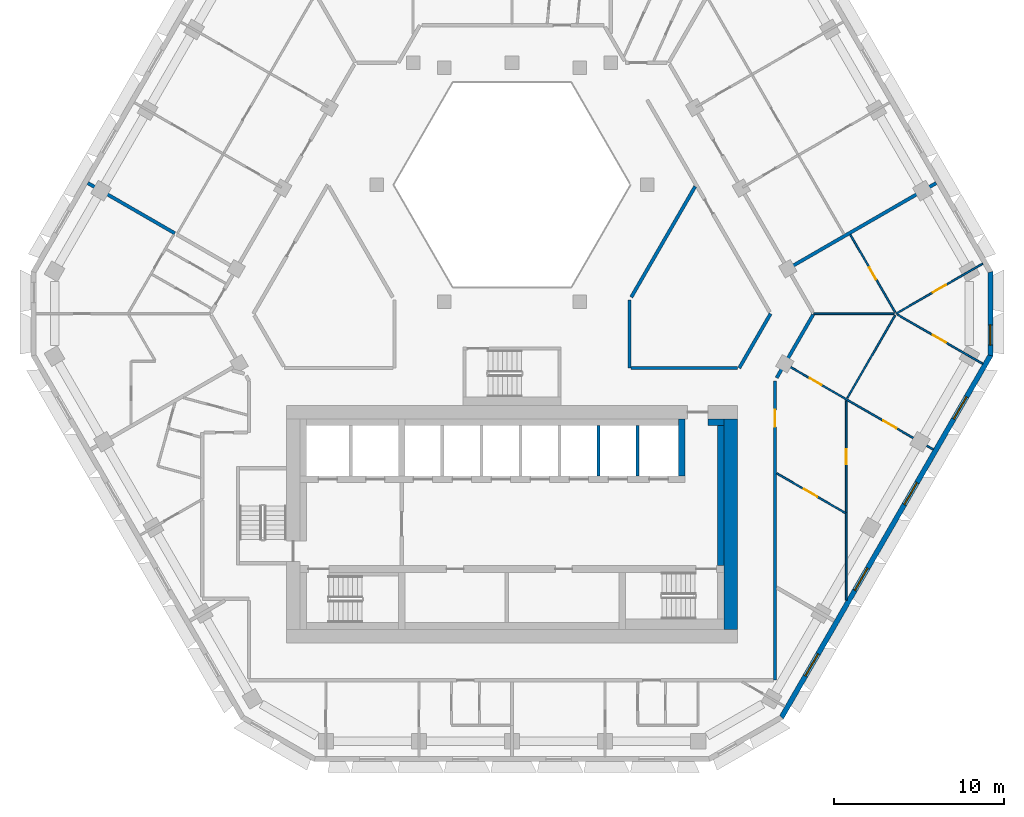
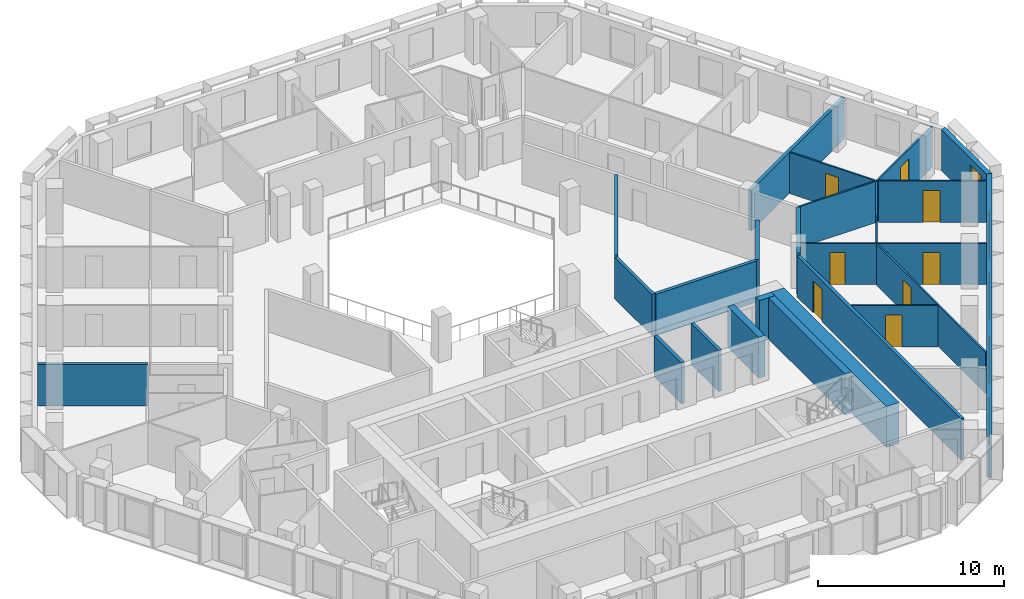
# One storey, part 6 of 15: 24 walls, 8 doors, 5 windows, 13 openings.
"""IFC4 building model written with IfcOpenShell, lengths in metres."""

from ifc_helpers import new_model, si_unit, direction, frame, frame_2d, origin, place, context, subcontext, project, spatial, polyline, rectangle, outline, extrude, material, layer, layer_set, type_object, element, fill, save


model = new_model("IFC4")

# Units and contexts
model_context = context("Model", 3, precision=1e-05, world=origin(), true_north=direction((0.0, 1.0)))
body_context = subcontext(model_context, "Body", "Model", "MODEL_VIEW")
ifc_project = project(units=[si_unit("LENGTHUNIT", "METRE"), si_unit("AREAUNIT", "SQUARE_METRE"), si_unit("VOLUMEUNIT", "CUBIC_METRE"), si_unit("PLANEANGLEUNIT", "RADIAN"), si_unit("MASSUNIT", "GRAM", prefix="KILO")], contexts=[model_context])

# Site, building, storey
site_placement = place(None, origin())
site = spatial("IfcSite", under=ifc_project, at=site_placement, CompositionType="ELEMENT")
building_placement = place(site_placement, origin())
building = spatial("IfcBuilding", under=site, at=building_placement, Name="Beryl Residences", CompositionType="ELEMENT")
storey_placement = place(building_placement, frame((0.0, 0.0, 123.60009765625)))
storey = spatial("IfcBuildingStorey", under=building, at=storey_placement, Name="L37", CompositionType="ELEMENT", Elevation=123.60009765625)

# Wall, openings, windows
ifc_material_1 = material(Name="Composite metal panel with mineral wool insulation")
ifc_layer_1 = layer(ifc_material_1, 0.300048828125)
ifc_layer_set_1 = layer_set([ifc_layer_1], Name="ES1 pale metal composite panel wall 300 mm")
wall_type_1 = type_object("IfcWallType", Name="ES1 pale metal composite panel wall 300 mm", PredefinedType="SOLIDWALL", material=ifc_layer_set_1)
wall_1_placement = place(storey_placement, frame((15.862060546875, -23.425048828125, 0.0), z_axis=(0.0, 0.0, 1.0), x_axis=(0.500017503135, 0.866015298109, 0.0)))
wall_1 = element("IfcWall", 1, at=wall_1_placement, inside=storey, type_object=wall_type_1, Name="ES1 external wall L37 SE", PredefinedType="SOLIDWALL", context=body_context, shape_type="SweptSolid", body=[
    extrude(outline(polyline([(0.0, -0.14990234375), (24.7109375, -0.14990234375), (24.630615234375, 0.14990234375), (0.080322265625, 0.14990234375), (0.0, -0.14990234375)])), origin(), (0.0, 0.0, 1.0), 2.699951171875),
])
opening_1_placement = place(wall_1_placement, frame((2.85693359375, 0.0, 0.14990234375)))
opening_1 = element("IfcOpeningElement", 2, at=opening_1_placement, cuts=wall_1, Name="Opening W1", PredefinedType="OPENING", context=body_context, shape_type="SweptSolid", body=[
    extrude(rectangle(XDim=1.5, YDim=2.10009765625, at=frame_2d((0.75, 1.050048828125))), frame((0.0, 0.159912109375, 0.0), z_axis=(0.0, -1.0, 0.0), x_axis=(1.0, 0.0, 0.0)), (0.0, 0.0, 1.0), 0.320068359375),
])
opening_2_placement = place(wall_1_placement, frame((8.68896484375, 0.0, 0.14990234375)))
opening_2 = element("IfcOpeningElement", 3, at=opening_2_placement, cuts=wall_1, Name="Opening W1", PredefinedType="OPENING", context=body_context, shape_type="SweptSolid", body=[
    extrude(rectangle(XDim=1.5, YDim=2.10009765625, at=frame_2d((0.75, 1.050048828125))), frame((0.0, 0.159912109375, 0.0), z_axis=(0.0, -1.0, 0.0), x_axis=(1.0, 0.0, 0.0)), (0.0, 0.0, 1.0), 0.320068359375),
])
opening_3_placement = place(wall_1_placement, frame((14.52001953125, 0.0, 0.14990234375)))
opening_3 = element("IfcOpeningElement", 4, at=opening_3_placement, cuts=wall_1, Name="Opening W1", PredefinedType="OPENING", context=body_context, shape_type="SweptSolid", body=[
    extrude(rectangle(XDim=1.5, YDim=2.10009765625, at=frame_2d((0.75, 1.050048828125))), frame((0.0, 0.159912109375, 0.0), z_axis=(0.0, -1.0, 0.0), x_axis=(1.0, 0.0, 0.0)), (0.0, 0.0, 1.0), 0.320068359375),
])
opening_4_placement = place(wall_1_placement, frame((20.35107421875, 0.0, 0.14990234375)))
opening_4 = element("IfcOpeningElement", 5, at=opening_4_placement, cuts=wall_1, Name="Opening W1", PredefinedType="OPENING", context=body_context, shape_type="SweptSolid", body=[
    extrude(rectangle(XDim=1.5, YDim=2.10009765625, at=frame_2d((0.75, 1.050048828125))), frame((0.0, 0.159912109375, 0.0), z_axis=(0.0, -1.0, 0.0), x_axis=(1.0, 0.0, 0.0)), (0.0, 0.0, 1.0), 0.320068359375),
])
ifc_material_2 = material(Name="Aluminium and clear glass", Category="aluminium")
window_type_1 = type_object("IfcWindowType", Name="W1 cell window 1500 x 2100 mm", PartitioningType="SINGLE_PANEL", PredefinedType="WINDOW", material=ifc_material_2)
window_1_placement = place(opening_1_placement, origin())
window_1 = element("IfcWindow", 6, at=window_1_placement, inside=storey, type_object=window_type_1, Name="W1 window L37 SE 2", OverallHeight=2.10009765625, OverallWidth=1.5, PartitioningType="SINGLE_PANEL", PredefinedType="WINDOW", context=body_context, shape_type="SweptSolid", body=[
    extrude(rectangle(XDim=1.5, YDim=2.10009765625, at=frame_2d((0.75, 1.050048828125))), frame((0.0, 0.030029296875, 0.0), z_axis=(0.0, -1.0, 0.0), x_axis=(1.0, 0.0, 0.0)), (0.0, 0.0, 1.0), 0.06005859375),
])
fill(opening_1, window_1)
window_2_placement = place(opening_2_placement, origin())
window_2 = element("IfcWindow", 7, at=window_2_placement, inside=storey, type_object=window_type_1, Name="W1 window L37 SE 4", OverallHeight=2.10009765625, OverallWidth=1.5, PartitioningType="SINGLE_PANEL", PredefinedType="WINDOW", context=body_context, shape_type="SweptSolid", body=[
    extrude(rectangle(XDim=1.5, YDim=2.10009765625, at=frame_2d((0.75, 1.050048828125))), frame((0.0, 0.030029296875, 0.0), z_axis=(0.0, -1.0, 0.0), x_axis=(1.0, 0.0, 0.0)), (0.0, 0.0, 1.0), 0.06005859375),
])
fill(opening_2, window_2)
window_3_placement = place(opening_3_placement, origin())
window_3 = element("IfcWindow", 8, at=window_3_placement, inside=storey, type_object=window_type_1, Name="W1 window L37 SE 6", OverallHeight=2.10009765625, OverallWidth=1.5, PartitioningType="SINGLE_PANEL", PredefinedType="WINDOW", context=body_context, shape_type="SweptSolid", body=[
    extrude(rectangle(XDim=1.5, YDim=2.10009765625, at=frame_2d((0.75, 1.050048828125))), frame((0.0, 0.030029296875, 0.0), z_axis=(0.0, -1.0, 0.0), x_axis=(1.0, 0.0, 0.0)), (0.0, 0.0, 1.0), 0.06005859375),
])
fill(opening_3, window_3)
window_4_placement = place(opening_4_placement, origin())
window_4 = element("IfcWindow", 9, at=window_4_placement, inside=storey, type_object=window_type_1, Name="W1 window L37 SE 8", OverallHeight=2.10009765625, OverallWidth=1.5, PartitioningType="SINGLE_PANEL", PredefinedType="WINDOW", context=body_context, shape_type="SweptSolid", body=[
    extrude(rectangle(XDim=1.5, YDim=2.10009765625, at=frame_2d((0.75, 1.050048828125))), frame((0.0, 0.030029296875, 0.0), z_axis=(0.0, -1.0, 0.0), x_axis=(1.0, 0.0, 0.0)), (0.0, 0.0, 1.0), 0.06005859375),
])
fill(opening_4, window_4)

# Wall, opening, window
wall_2_placement = place(storey_placement, frame((28.197998046875, -2.10009765625, 0.0), z_axis=(0.0, 0.0, 1.0), x_axis=(0.0, 1.0, 0.0)))
wall_2 = element("IfcWall", 10, at=wall_2_placement, inside=storey, type_object=wall_type_1, Name="ES1 external wall L37 SE-NE", PredefinedType="SOLIDWALL", context=body_context, shape_type="SweptSolid", body=[
    extrude(outline(polyline([(0.0, -0.14990234375), (5.0, -0.14990234375), (4.919677734375, 0.14990234375), (0.080322265625, 0.14990234375), (0.0, -0.14990234375)])), origin(), (0.0, 0.0, 1.0), 2.699951171875),
])
opening_5_placement = place(wall_2_placement, frame((0.64990234375, 0.0, 0.14990234375)))
opening_5 = element("IfcOpeningElement", 11, at=opening_5_placement, cuts=wall_2, Name="Opening W2", PredefinedType="OPENING", context=body_context, shape_type="SweptSolid", body=[
    extrude(rectangle(XDim=1.199951171875, YDim=2.10009765625, at=frame_2d((0.60009765625, 1.050048828125))), frame((0.0, 0.159912109375, 0.0), z_axis=(0.0, -1.0, 0.0), x_axis=(1.0, 0.0, 0.0)), (0.0, 0.0, 1.0), 0.320068359375),
])
ifc_material_3 = material(Name="Aluminium and clear glass", Category="aluminium")
window_type_2 = type_object("IfcWindowType", Name="W2 chamfer window 1200 x 2100 mm", PartitioningType="SINGLE_PANEL", PredefinedType="WINDOW", material=ifc_material_3)
window_5_placement = place(opening_5_placement, origin())
window_5 = element("IfcWindow", 12, at=window_5_placement, inside=storey, type_object=window_type_2, Name="W2 window L37 SE-NE 1", OverallHeight=2.10009765625, OverallWidth=1.199951171875, PartitioningType="SINGLE_PANEL", PredefinedType="WINDOW", context=body_context, shape_type="SweptSolid", body=[
    extrude(rectangle(XDim=1.199951171875, YDim=2.10009765625, at=frame_2d((0.60009765625, 1.050048828125))), frame((0.0, 0.030029296875, 0.0), z_axis=(0.0, -1.0, 0.0), x_axis=(1.0, 0.0, 0.0)), (0.0, 0.0, 1.0), 0.06005859375),
])
fill(opening_5, window_5)

# Wall, opening, door
ifc_material_4 = material(Name="Gypsum board partition on steel studs", Category="steel")
ifc_layer_2 = layer(ifc_material_4, 0.10009765625)
ifc_layer_set_2 = layer_set([ifc_layer_2], Name="PT1 partition 100 mm gypsum board on steel studs")
wall_type_2 = type_object("IfcWallType", Name="PT1 partition 100 mm gypsum board on steel studs", PredefinedType="PARTITIONING", material=ifc_layer_set_2)
wall_3_placement = place(storey_placement, frame((19.93994140625, 5.06298828125, 0.0), z_axis=(0.0, 0.0, 1.0), x_axis=(0.500025085526, -0.866010920165, 0.0)))
wall_3 = element("IfcWall", 13, at=wall_3_placement, inside=storey, type_object=wall_type_2, Name="Wall PT1 L37 004", PredefinedType="PARTITIONING", context=body_context, shape_type="SweptSolid", body=[
    extrude(rectangle(XDim=5.283935546875, YDim=0.10009765625, at=frame_2d((2.64208984375, 0.0))), origin(), (0.0, 0.0, 1.0), 2.699951171875),
])
opening_6_placement = place(wall_3_placement, frame((2.241943359375, 0.0, 0.0)))
opening_6 = element("IfcOpeningElement", 14, at=opening_6_placement, cuts=wall_3, Name="Opening D1218", PredefinedType="OPENING", context=body_context, shape_type="SweptSolid", body=[
    extrude(rectangle(XDim=0.800048828125, YDim=2.10009765625, at=frame_2d((0.39990234375, 1.050048828125))), frame((0.0, 0.06005859375, 0.0), z_axis=(0.0, -1.0, 0.0), x_axis=(1.0, 0.0, 0.0)), (0.0, 0.0, 1.0), 0.1201171875),
])
ifc_material_5 = material(Name="Timber door leaf", Category="wood")
door_type_1 = type_object("IfcDoorType", Name="D3 bathroom door 800 x 2100 mm", OperationType="SINGLE_SWING_LEFT", PredefinedType="DOOR", material=ifc_material_5)
door_1_placement = place(opening_6_placement, origin())
door_1 = element("IfcDoor", 15, at=door_1_placement, inside=storey, type_object=door_type_1, Name="Door D1218 L37 001", OperationType="SINGLE_SWING_RIGHT", OverallHeight=2.10009765625, OverallWidth=0.800048828125, PredefinedType="DOOR", context=body_context, shape_type="SweptSolid", body=[
    extrude(rectangle(XDim=0.800048828125, YDim=2.10009765625, at=frame_2d((0.39990234375, 1.050048828125))), frame((0.0, 0.02490234375, 0.0), z_axis=(0.0, -1.0, 0.0), x_axis=(1.0, 0.0, 0.0)), (0.0, 0.0, 1.0), 0.050048828125),
])
fill(opening_6, door_1)

wall_4_placement = place(storey_placement, frame((15.60009765625, -9.008056640625, 0.0), z_axis=(0.0, 0.0, 1.0), x_axis=(0.866049960314, -0.49995746443, 0.0)))
wall_4 = element("IfcWall", 16, at=wall_4_placement, inside=storey, type_object=wall_type_2, Name="Wall PT1 L37 016", PredefinedType="PARTITIONING", context=body_context, shape_type="SweptSolid", body=[
    extrude(rectangle(XDim=4.67626953125, YDim=0.10009765625, at=frame_2d((2.338134765625, 0.0))), origin(), (0.0, 0.0, 1.0), 2.699951171875),
])
opening_7_placement = place(wall_4_placement, frame((1.85888671875, 0.0, 0.0)))
opening_7 = element("IfcOpeningElement", 17, at=opening_7_placement, cuts=wall_4, Name="Opening D1213", PredefinedType="OPENING", context=body_context, shape_type="SweptSolid", body=[
    extrude(rectangle(XDim=0.89990234375, YDim=2.10009765625, at=frame_2d((0.449951171875, 1.050048828125))), frame((0.0, 0.06005859375, 0.0), z_axis=(0.0, -1.0, 0.0), x_axis=(1.0, 0.0, 0.0)), (0.0, 0.0, 1.0), 0.1201171875),
])
ifc_material_6 = material(Name="Timber door leaf", Category="wood")
door_type_2 = type_object("IfcDoorType", Name="D2 room door 900 x 2100 mm", OperationType="SINGLE_SWING_LEFT", PredefinedType="DOOR", material=ifc_material_6)
door_2_placement = place(opening_7_placement, origin())
door_2 = element("IfcDoor", 18, at=door_2_placement, inside=storey, type_object=door_type_2, Name="Door D1213 L37 001", OperationType="SINGLE_SWING_LEFT", OverallHeight=2.10009765625, OverallWidth=0.89990234375, PredefinedType="DOOR", context=body_context, shape_type="SweptSolid", body=[
    extrude(rectangle(XDim=0.89990234375, YDim=2.10009765625, at=frame_2d((0.449951171875, 1.050048828125))), frame((0.0, 0.02490234375, 0.0), z_axis=(0.0, -1.0, 0.0), x_axis=(1.0, 0.0, 0.0)), (0.0, 0.0, 1.0), 0.050048828125),
])
fill(opening_7, door_2)

# Wall, openings, doors
wall_5_placement = place(storey_placement, frame((16.1650390625, -2.60107421875, 0.0), z_axis=(0.0, 0.0, 1.0), x_axis=(0.866016855193, -0.500014806302, 0.0)))
wall_5 = element("IfcWall", 19, at=wall_5_placement, inside=storey, type_object=wall_type_2, Name="Wall PT1 L37 018", PredefinedType="PARTITIONING", context=body_context, shape_type="SweptSolid", body=[
    extrude(rectangle(XDim=9.999755859375, YDim=0.10009765625, at=frame_2d((5.0, 0.0))), origin(), (0.0, 0.0, 1.0), 2.699951171875),
])
opening_8_placement = place(wall_5_placement, frame((1.60009765625, 0.0, 0.0)))
opening_8 = element("IfcOpeningElement", 20, at=opening_8_placement, cuts=wall_5, Name="Opening D1214", PredefinedType="OPENING", context=body_context, shape_type="SweptSolid", body=[
    extrude(rectangle(XDim=0.800048828125, YDim=2.10009765625, at=frame_2d((0.39990234375, 1.050048828125))), frame((0.0, 0.06005859375, 0.0), z_axis=(0.0, -1.0, 0.0), x_axis=(1.0, 0.0, 0.0)), (0.0, 0.0, 1.0), 0.1201171875),
])
opening_9_placement = place(wall_5_placement, frame((6.60009765625, 0.0, 0.0)))
opening_9 = element("IfcOpeningElement", 21, at=opening_9_placement, cuts=wall_5, Name="Opening D1215", PredefinedType="OPENING", context=body_context, shape_type="SweptSolid", body=[
    extrude(rectangle(XDim=0.89990234375, YDim=2.10009765625, at=frame_2d((0.449951171875, 1.050048828125))), frame((0.0, 0.06005859375, 0.0), z_axis=(0.0, -1.0, 0.0), x_axis=(1.0, 0.0, 0.0)), (0.0, 0.0, 1.0), 0.1201171875),
])
door_3_placement = place(opening_9_placement, origin())
door_3 = element("IfcDoor", 22, at=door_3_placement, inside=storey, type_object=door_type_2, Name="Door D1215 L37 001", OperationType="SINGLE_SWING_LEFT", OverallHeight=2.10009765625, OverallWidth=0.89990234375, PredefinedType="DOOR", context=body_context, shape_type="SweptSolid", body=[
    extrude(rectangle(XDim=0.89990234375, YDim=2.10009765625, at=frame_2d((0.449951171875, 1.050048828125))), frame((0.0, 0.02490234375, 0.0), z_axis=(0.0, -1.0, 0.0), x_axis=(1.0, 0.0, 0.0)), (0.0, 0.0, 1.0), 0.050048828125),
])
fill(opening_9, door_3)
door_4_placement = place(opening_8_placement, origin())
door_4 = element("IfcDoor", 23, at=door_4_placement, inside=storey, type_object=door_type_1, Name="Door D1214 L37 001", OperationType="SINGLE_SWING_RIGHT", OverallHeight=2.10009765625, OverallWidth=0.800048828125, PredefinedType="DOOR", context=body_context, shape_type="SweptSolid", body=[
    extrude(rectangle(XDim=0.800048828125, YDim=2.10009765625, at=frame_2d((0.39990234375, 1.050048828125))), frame((0.0, 0.02490234375, 0.0), z_axis=(0.0, -1.0, 0.0), x_axis=(1.0, 0.0, 0.0)), (0.0, 0.0, 1.0), 0.050048828125),
])
fill(opening_8, door_4)

# Wall, opening, door
wall_6_placement = place(storey_placement, frame((22.718017578125, 0.34912109375, 0.0), z_axis=(0.0, 0.0, 1.0), x_axis=(0.86601454848, -0.500018801468, 0.0)))
wall_6 = element("IfcWall", 24, at=wall_6_placement, inside=storey, type_object=wall_type_2, Name="Wall PT1 L37 019", PredefinedType="PARTITIONING", context=body_context, shape_type="SweptSolid", body=[
    extrude(rectangle(XDim=5.800048828125, YDim=0.10009765625, at=frame_2d((2.89990234375, 0.0))), origin(), (0.0, 0.0, 1.0), 2.699951171875),
])
opening_10_placement = place(wall_6_placement, frame((2.39990234375, 0.0, 0.0)))
opening_10 = element("IfcOpeningElement", 25, at=opening_10_placement, cuts=wall_6, Name="Opening D1216", PredefinedType="OPENING", context=body_context, shape_type="SweptSolid", body=[
    extrude(rectangle(XDim=0.89990234375, YDim=2.10009765625, at=frame_2d((0.449951171875, 1.050048828125))), frame((0.0, 0.06005859375, 0.0), z_axis=(0.0, -1.0, 0.0), x_axis=(1.0, 0.0, 0.0)), (0.0, 0.0, 1.0), 0.1201171875),
])
door_5_placement = place(opening_10_placement, origin())
door_5 = element("IfcDoor", 26, at=door_5_placement, inside=storey, type_object=door_type_2, Name="Door D1216 L37 001", OperationType="SINGLE_SWING_RIGHT", OverallHeight=2.10009765625, OverallWidth=0.89990234375, PredefinedType="DOOR", context=body_context, shape_type="SweptSolid", body=[
    extrude(rectangle(XDim=0.89990234375, YDim=2.10009765625, at=frame_2d((0.449951171875, 1.050048828125))), frame((0.0, 0.02490234375, 0.0), z_axis=(0.0, -1.0, 0.0), x_axis=(1.0, 0.0, 0.0)), (0.0, 0.0, 1.0), 0.050048828125),
])
fill(opening_10, door_5)

# Walls
wall_7_placement = place(storey_placement, frame((17.781982421875, 0.40087890625, 0.0), z_axis=(0.0, 0.0, 1.0), x_axis=(1.0, 0.0, 0.0)))
element("IfcWall", 27, at=wall_7_placement, inside=storey, type_object=wall_type_2, Name="Wall PT1 L37 024", PredefinedType="PARTITIONING", context=body_context, shape_type="SweptSolid", body=[
    extrude(rectangle(XDim=4.7470703125, YDim=0.10009765625, at=frame_2d((2.37353515625, 0.0))), origin(), (0.0, 0.0, 1.0), 2.699951171875),
])
wall_8_placement = place(storey_placement, frame((19.764892578125, -4.56396484375, 0.0), z_axis=(0.0, 0.0, 1.0), x_axis=(0.500060182325, 0.865990654714, 0.0)))
element("IfcWall", 28, at=wall_8_placement, inside=storey, type_object=wall_type_2, Name="Wall PT1 L37 029", PredefinedType="PARTITIONING", context=body_context, shape_type="SweptSolid", body=[
    extrude(rectangle(XDim=5.631591796875, YDim=0.10009765625, at=frame_2d((2.81591796875, 0.0))), origin(), (0.0, 0.0, 1.0), 2.699951171875),
])

# Wall, opening, door
wall_9_placement = place(storey_placement, frame((19.699951171875, -16.47705078125, 0.0), z_axis=(0.0, 0.0, 1.0), x_axis=(0.0, 1.0, 0.0)))
wall_9 = element("IfcWall", 29, at=wall_9_placement, inside=storey, type_object=wall_type_2, Name="Wall PT1 L37 042", PredefinedType="PARTITIONING", context=body_context, shape_type="SweptSolid", body=[
    extrude(rectangle(XDim=11.741943359375, YDim=0.10009765625, at=frame_2d((5.87109375, 0.0))), origin(), (0.0, 0.0, 1.0), 2.699951171875),
])
opening_11_placement = place(wall_9_placement, frame((7.990966796875, 0.0, 0.0)))
opening_11 = element("IfcOpeningElement", 30, at=opening_11_placement, cuts=wall_9, Name="Opening D1212", PredefinedType="OPENING", context=body_context, shape_type="SweptSolid", body=[
    extrude(rectangle(XDim=0.89990234375, YDim=2.10009765625, at=frame_2d((0.449951171875, 1.050048828125))), frame((0.0, 0.06005859375, 0.0), z_axis=(0.0, -1.0, 0.0), x_axis=(1.0, 0.0, 0.0)), (0.0, 0.0, 1.0), 0.1201171875),
])
door_6_placement = place(opening_11_placement, origin())
door_6 = element("IfcDoor", 31, at=door_6_placement, inside=storey, type_object=door_type_2, Name="Door D1212 L37 001", OperationType="SINGLE_SWING_RIGHT", OverallHeight=2.10009765625, OverallWidth=0.89990234375, PredefinedType="DOOR", context=body_context, shape_type="SweptSolid", body=[
    extrude(rectangle(XDim=0.89990234375, YDim=2.10009765625, at=frame_2d((0.449951171875, 1.050048828125))), frame((0.0, 0.02490234375, 0.0), z_axis=(0.0, -1.0, 0.0), x_axis=(1.0, 0.0, 0.0)), (0.0, 0.0, 1.0), 0.050048828125),
])
fill(opening_11, door_6)

wall_10_placement = place(storey_placement, frame((22.634033203125, 0.40087890625, 0.0), z_axis=(0.0, 0.0, 1.0), x_axis=(0.86601325737, 0.500021037617, 0.0)))
wall_10 = element("IfcWall", 32, at=wall_10_placement, inside=storey, type_object=wall_type_2, Name="Wall PT1 L37 049", PredefinedType="PARTITIONING", context=body_context, shape_type="SweptSolid", body=[
    extrude(rectangle(XDim=5.898193359375, YDim=0.10009765625, at=frame_2d((2.94921875, 0.0))), origin(), (0.0, 0.0, 1.0), 2.699951171875),
])
opening_12_placement = place(wall_10_placement, frame((2.4990234375, 0.0, 0.0)))
opening_12 = element("IfcOpeningElement", 33, at=opening_12_placement, cuts=wall_10, Name="Opening D1217", PredefinedType="OPENING", context=body_context, shape_type="SweptSolid", body=[
    extrude(rectangle(XDim=0.89990234375, YDim=2.10009765625, at=frame_2d((0.449951171875, 1.050048828125))), frame((0.0, 0.06005859375, 0.0), z_axis=(0.0, -1.0, 0.0), x_axis=(1.0, 0.0, 0.0)), (0.0, 0.0, 1.0), 0.1201171875),
])
door_7_placement = place(opening_12_placement, origin())
door_7 = element("IfcDoor", 34, at=door_7_placement, inside=storey, type_object=door_type_2, Name="Door D1217 L37 001", OperationType="SINGLE_SWING_LEFT", OverallHeight=2.10009765625, OverallWidth=0.89990234375, PredefinedType="DOOR", context=body_context, shape_type="SweptSolid", body=[
    extrude(rectangle(XDim=0.89990234375, YDim=2.10009765625, at=frame_2d((0.449951171875, 1.050048828125))), frame((0.0, 0.02490234375, 0.0), z_axis=(0.0, -1.0, 0.0), x_axis=(1.0, 0.0, 0.0)), (0.0, 0.0, 1.0), 0.050048828125),
])
fill(opening_12, door_7)

# Walls
ifc_material_7 = material(Name="Concrete masonry", Category="masonry")
ifc_layer_3 = layer(ifc_material_7, 0.39990234375)
ifc_layer_set_3 = layer_set([ifc_layer_3], Name="PT13-400 lobby wall 400 mm")
wall_type_3 = type_object("IfcWallType", Name="PT13-400 lobby wall 400 mm", PredefinedType="PARTITIONING", material=ifc_layer_set_3)
wall_11_placement = place(storey_placement, frame((11.550048828125, -6.0, 0.0), z_axis=(0.0, 0.0, 1.0), x_axis=(1.0, 0.0, 0.0)))
element("IfcWall", 35, at=wall_11_placement, inside=storey, type_object=wall_type_3, Name="Lobby wall 22", PredefinedType="PARTITIONING", context=body_context, shape_type="SweptSolid", body=[
    extrude(rectangle(XDim=0.949951171875, YDim=0.39990234375, at=frame_2d((0.47509765625, 0.0))), origin(), (0.0, 0.0, 1.0), 2.699951171875),
])
wall_12_placement = place(storey_placement, frame((12.300048828125, -14.449951171875, 0.0), z_axis=(0.0, 0.0, 1.0), x_axis=(0.0, 1.0, 0.0)))
element("IfcWall", 36, at=wall_12_placement, inside=storey, type_object=wall_type_3, Name="Lobby wall 24", PredefinedType="PARTITIONING", context=body_context, shape_type="SweptSolid", body=[
    extrude(rectangle(XDim=8.25, YDim=0.39990234375, at=frame_2d((4.125, 0.0))), origin(), (0.0, 0.0, 1.0), 2.699951171875),
])
ifc_material_8 = material(Name="Acoustic double stud gypsum board wall")
ifc_layer_4 = layer(ifc_material_8, 0.199951171875)
ifc_layer_set_4 = layer_set([ifc_layer_4], Name="PT3 party wall 200 mm acoustic double stud")
wall_type_4 = type_object("IfcWallType", Name="PT3 party wall 200 mm acoustic double stud", PredefinedType="PARTITIONING", material=ifc_layer_set_4)
wall_13_placement = place(storey_placement, frame((-24.9990234375, 8.10009765625, 0.0), z_axis=(0.0, 0.0, 1.0), x_axis=(0.866013897511, -0.50001992892, 0.0)))
element("IfcWall", 37, at=wall_13_placement, inside=storey, type_object=wall_type_4, Name="Wall PT3 L37 005", PredefinedType="PARTITIONING", context=body_context, shape_type="SweptSolid", body=[
    extrude(rectangle(XDim=5.920166015625, YDim=0.199951171875, at=frame_2d((2.9599609375, 0.0))), origin(), (0.0, 0.0, 1.0), 2.699951171875),
])
wall_14_placement = place(storey_placement, frame((16.339111328125, 3.10009765625, 0.0), z_axis=(0.0, 0.0, 1.0), x_axis=(0.866016855193, 0.500014806302, 0.0)))
element("IfcWall", 38, at=wall_14_placement, inside=storey, type_object=wall_type_4, Name="Wall PT3 L37 011", PredefinedType="PARTITIONING", context=body_context, shape_type="SweptSolid", body=[
    extrude(rectangle(XDim=9.999755859375, YDim=0.199951171875, at=frame_2d((5.0, 0.0))), origin(), (0.0, 0.0, 1.0), 2.699951171875),
])
ifc_material_9 = material(Name="Double stud gypsum board wall")
ifc_layer_5 = layer(ifc_material_9, 0.199951171875)
ifc_layer_set_5 = layer_set([ifc_layer_5], Name="PT4 corridor wall 200 mm double stud")
wall_type_5 = type_object("IfcWallType", Name="PT4 corridor wall 200 mm double stud", PredefinedType="PARTITIONING", material=ifc_layer_set_5)
wall_15_placement = place(storey_placement, frame((7.028076171875, -2.800048828125, 0.0), z_axis=(0.0, 0.0, 1.0), x_axis=(1.0, 0.0, 0.0)))
element("IfcWall", 39, at=wall_15_placement, inside=storey, type_object=wall_type_5, Name="Wall PT4 L37 014", PredefinedType="PARTITIONING", context=body_context, shape_type="SweptSolid", body=[
    extrude(rectangle(XDim=6.25, YDim=0.199951171875, at=frame_2d((3.125, 0.0))), origin(), (0.0, 0.0, 1.0), 2.699951171875),
])
wall_16_placement = place(storey_placement, frame((7.028076171875, 1.373046875, 0.0), z_axis=(0.0, 0.0, 1.0), x_axis=(0.499954271211, 0.866051803703, 0.0)))
element("IfcWall", 40, at=wall_16_placement, inside=storey, type_object=wall_type_5, Name="Wall PT4 L37 018", PredefinedType="PARTITIONING", context=body_context, shape_type="SweptSolid", body=[
    extrude(rectangle(XDim=7.536376953125, YDim=0.199951171875, at=frame_2d((3.76806640625, 0.0))), origin(), (0.0, 0.0, 1.0), 2.699951171875),
])
wall_17_placement = place(storey_placement, frame((13.39404296875, -2.800048828125, 0.0), z_axis=(0.0, 0.0, 1.0), x_axis=(0.499968324138, 0.866043691079, 0.0)))
element("IfcWall", 41, at=wall_17_placement, inside=storey, type_object=wall_type_5, Name="Wall PT4 L37 019", PredefinedType="PARTITIONING", context=body_context, shape_type="SweptSolid", body=[
    extrude(rectangle(XDim=3.696044921875, YDim=0.199951171875, at=frame_2d((1.84814453125, 0.0))), origin(), (0.0, 0.0, 1.0), 2.699951171875),
])
wall_18_placement = place(storey_placement, frame((15.60009765625, -3.37890625, 0.0), z_axis=(0.0, 0.0, 1.0), x_axis=(0.499882759391, 0.866093082101, 0.0)))
element("IfcWall", 42, at=wall_18_placement, inside=storey, type_object=wall_type_5, Name="Wall PT4 L37 020", PredefinedType="PARTITIONING", context=body_context, shape_type="SweptSolid", body=[
    extrude(rectangle(XDim=4.306640625, YDim=0.199951171875, at=frame_2d((2.1533203125, 0.0))), origin(), (0.0, 0.0, 1.0), 2.699951171875),
])
wall_19_placement = place(storey_placement, frame((6.927978515625, -2.800048828125, 0.0), z_axis=(0.0, 0.0, 1.0), x_axis=(0.0, 1.0, 0.0)))
element("IfcWall", 43, at=wall_19_placement, inside=storey, type_object=wall_type_5, Name="Wall PT4 L37 024", PredefinedType="PARTITIONING", context=body_context, shape_type="SweptSolid", body=[
    extrude(rectangle(XDim=4.0, YDim=0.199951171875, at=frame_2d((2.0, 0.0))), origin(), (0.0, 0.0, 1.0), 2.699951171875),
])

# Wall, opening, door
wall_20_placement = place(storey_placement, frame((15.5, -21.198974609375, 0.0), z_axis=(0.0, 0.0, 1.0), x_axis=(0.0, 1.0, 0.0)))
wall_20 = element("IfcWall", 44, at=wall_20_placement, inside=storey, type_object=wall_type_5, Name="Wall PT4 L37 025", PredefinedType="PARTITIONING", context=body_context, shape_type="SweptSolid", body=[
    extrude(rectangle(XDim=17.64697265625, YDim=0.199951171875, at=frame_2d((8.823486328125, 0.0))), origin(), (0.0, 0.0, 1.0), 2.699951171875),
])
opening_13_placement = place(wall_20_placement, frame((14.93408203125, 0.0, 0.0)))
opening_13 = element("IfcOpeningElement", 45, at=opening_13_placement, cuts=wall_20, Name="Opening D1211", PredefinedType="OPENING", context=body_context, shape_type="SweptSolid", body=[
    extrude(rectangle(XDim=1.0, YDim=2.10009765625, at=frame_2d((0.5, 1.050048828125))), frame((0.0, 0.10986328125, 0.0), z_axis=(0.0, -1.0, 0.0), x_axis=(1.0, 0.0, 0.0)), (0.0, 0.0, 1.0), 0.219970703125),
])
ifc_material_10 = material(Name="Timber door leaf", Category="wood")
door_type_3 = type_object("IfcDoorType", Name="D1 flat entrance door 1000 x 2100 mm", OperationType="SINGLE_SWING_LEFT", PredefinedType="DOOR", material=ifc_material_10)
door_8_placement = place(opening_13_placement, origin())
door_8 = element("IfcDoor", 46, at=door_8_placement, inside=storey, type_object=door_type_3, Name="Door D1211 L37 001", OperationType="SINGLE_SWING_LEFT", OverallHeight=2.10009765625, OverallWidth=1.0, PredefinedType="DOOR", context=body_context, shape_type="SweptSolid", body=[
    extrude(rectangle(XDim=1.0, YDim=2.10009765625, at=frame_2d((0.5, 1.050048828125))), frame((0.0, 0.02490234375, 0.0), z_axis=(0.0, -1.0, 0.0), x_axis=(1.0, 0.0, 0.0)), (0.0, 0.0, 1.0), 0.050048828125),
])
fill(opening_13, door_8)

# Walls
ifc_material_11 = material(Name="Concrete C40/50", Category="concrete")
ifc_layer_6 = layer(ifc_material_11, 0.199951171875)
ifc_layer_set_6 = layer_set([ifc_layer_6], Name="PT6 lift shaft wall 200 mm reinforced concrete C40/50")
wall_type_6 = type_object("IfcWallType", Name="PT6 lift shaft wall 200 mm reinforced concrete C40/50", PredefinedType="SOLIDWALL", material=ifc_layer_set_6)
for number, where, z_axis, x_axis, name in (
    (47, (5.10009765625, -9.14990234375, 0.0), (0.0, 0.0, 1.0), (0.0, 1.0, 0.0), "Lift shaft wall 19"),
    (48, (7.39990234375, -9.14990234375, 0.0), (0.0, 0.0, 1.0), (0.0, 1.0, 0.0), "Lift shaft wall 21"),
):
    element("IfcWall", number, at=place(storey_placement, frame(where, z_axis=z_axis, x_axis=x_axis)), inside=storey, type_object=wall_type_6, Name=name, PredefinedType="SOLIDWALL", context=body_context, shape_type="SweptSolid", body=[
        extrude(rectangle(XDim=2.949951171875, YDim=0.199951171875, at=frame_2d((1.47509765625, 0.0))), origin(), (0.0, 0.0, 1.0), 2.699951171875),
    ])
ifc_material_12 = material(Name="Concrete C60/75", Category="concrete")
ifc_layer_7 = layer(ifc_material_12, 0.800048828125)
ifc_layer_set_7 = layer_set([ifc_layer_7], Name="SW3 core outer wall 800 mm C60/75")
wall_type_7 = type_object("IfcWallType", Name="SW3 core outer wall 800 mm C60/75", PredefinedType="SHEAR", material=ifc_layer_set_7)
wall_21_placement = place(storey_placement, frame((12.89990234375, -18.199951171875, 0.0), z_axis=(0.0, 0.0, 1.0), x_axis=(0.0, 1.0, 0.0)))
element("IfcWall", 49, at=wall_21_placement, inside=storey, type_object=wall_type_7, Name="Core wall E L37", PredefinedType="SHEAR", context=body_context, shape_type="SweptSolid", body=[
    extrude(rectangle(XDim=12.39990234375, YDim=0.800048828125, at=frame_2d((6.199951171875, 0.0))), origin(), (0.0, 0.0, 1.0), 2.699951171875),
])
ifc_material_13 = material(Name="Concrete C60/75", Category="concrete")
ifc_layer_8 = layer(ifc_material_13, 0.39990234375)
ifc_layer_set_8 = layer_set([ifc_layer_8], Name="SW8 core internal wall 400 mm C60/75")
wall_type_8 = type_object("IfcWallType", Name="SW8 core internal wall 400 mm C60/75", PredefinedType="SHEAR", material=ifc_layer_set_8)
wall_22_placement = place(storey_placement, frame((10.0, -9.14990234375, 0.0), z_axis=(0.0, 0.0, 1.0), x_axis=(0.0, 1.0, 0.0)))
element("IfcWall", 50, at=wall_22_placement, inside=storey, type_object=wall_type_8, Name="Core wall XN2 L37", PredefinedType="SHEAR", context=body_context, shape_type="SweptSolid", body=[
    extrude(rectangle(XDim=3.349853515625, YDim=0.39990234375, at=frame_2d((1.6748046875, 0.0))), origin(), (0.0, 0.0, 1.0), 2.699951171875),
])

save(model, "model.ifc")
